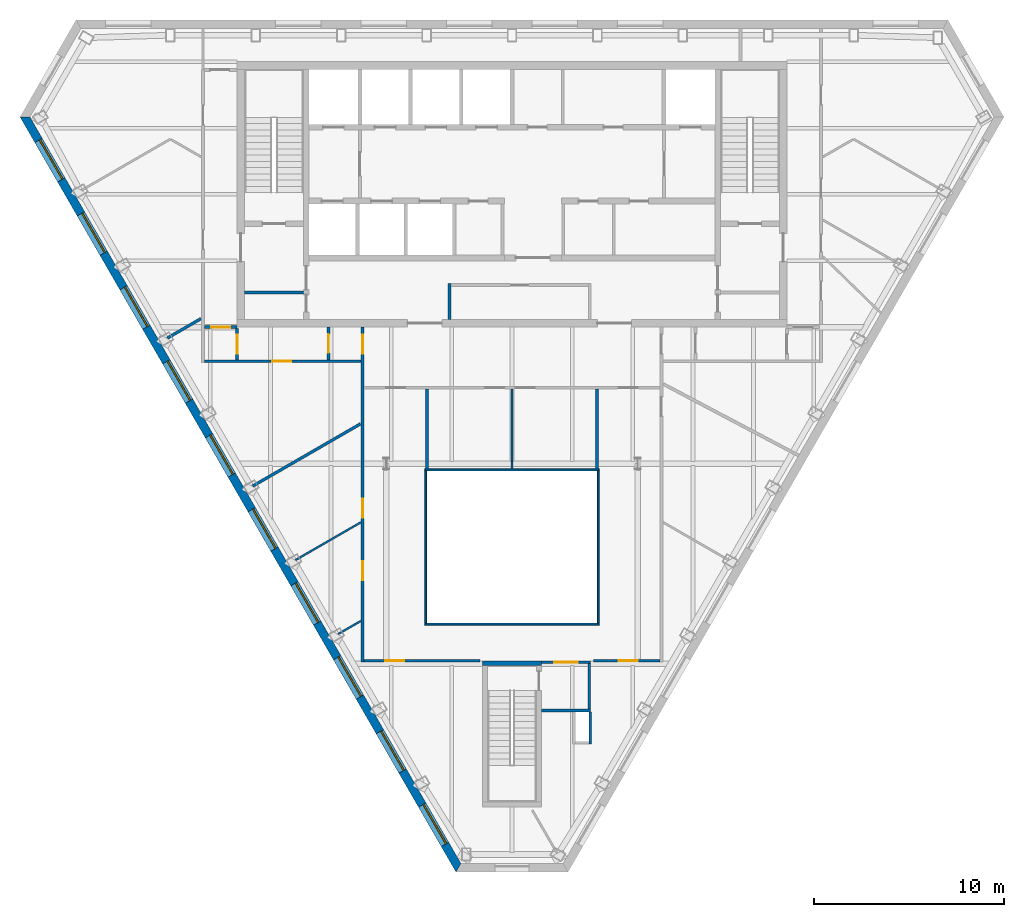
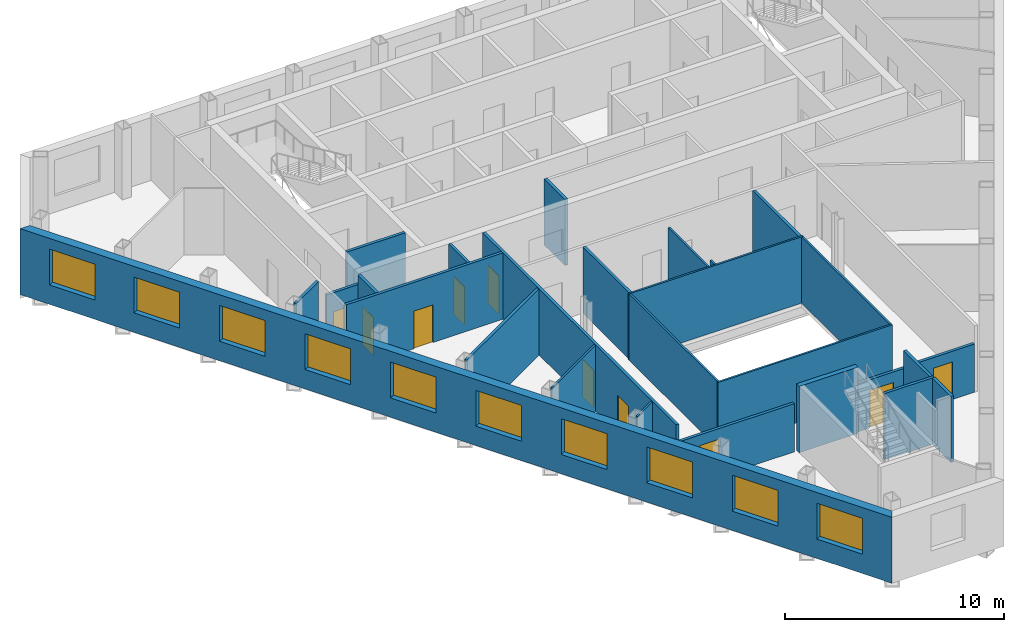
# One storey, part 4 of 10: 27 walls, 10 doors, 10 windows, 20 openings.
"""IFC4 building model written with IfcOpenShell, lengths in metres."""

from ifc_helpers import new_model, si_unit, direction, frame, frame_2d, origin, place, context, subcontext, project, spatial, polyline, rectangle, outline, extrude, material, layer, layer_set, type_object, element, fill, save


model = new_model("IFC4")

# Units and contexts
model_context = context("Model", 3, precision=1e-05, world=origin(), true_north=direction((0.0, 1.0)))
body_context = subcontext(model_context, "Body", "Model", "MODEL_VIEW")
ifc_project = project(units=[si_unit("LENGTHUNIT", "METRE"), si_unit("AREAUNIT", "SQUARE_METRE"), si_unit("VOLUMEUNIT", "CUBIC_METRE"), si_unit("PLANEANGLEUNIT", "RADIAN"), si_unit("MASSUNIT", "GRAM", prefix="KILO")], contexts=[model_context])

# Site, building, storey
site_placement = place(None, origin())
site = spatial("IfcSite", under=ifc_project, at=site_placement, CompositionType="ELEMENT")
building_placement = place(site_placement, origin())
building = spatial("IfcBuilding", under=site, at=building_placement, Name="Njiva Tower", CompositionType="ELEMENT")
storey_placement = place(building_placement, frame((0.0, 0.0, 257.1)))
storey = spatial("IfcBuildingStorey", under=building, at=storey_placement, Name="L58", CompositionType="ELEMENT", Elevation=257.1)

# Walls
ifc_material_1 = material(Name="Blockwork", Category="masonry")
ifc_layer_1 = layer(ifc_material_1, 0.15)
ifc_layer_set_1 = layer_set([ifc_layer_1], Name="Blockwork")
wall_type_1 = type_object("IfcWallType", Name="WT1 Compartment partition 150", PredefinedType="PARTITIONING", material=ifc_layer_set_1)
wall_1_placement = place(storey_placement, frame((-14.1, 5.825, 0.0), z_axis=(0.0, 0.0, 1.0), x_axis=(1.0, 0.0, 0.0)))
element("IfcWall", 1, at=wall_1_placement, inside=storey, type_object=wall_type_1, Name="Room wall A", PredefinedType="PARTITIONING", context=body_context, shape_type="SweptSolid", body=[
    extrude(rectangle(XDim=3.1, YDim=0.15, at=frame_2d((1.55, 0.0))), origin(), (0.0, 0.0, 1.0), 3.7),
])
wall_2_placement = place(storey_placement, frame((-3.3, 4.4, 0.0), z_axis=(0.0, 0.0, 1.0), x_axis=(0.0, 1.0, 0.0)))
element("IfcWall", 2, at=wall_2_placement, inside=storey, type_object=wall_type_1, Name="Concierge office wall west", PredefinedType="PARTITIONING", context=body_context, shape_type="SweptSolid", body=[
    extrude(rectangle(XDim=1.895, YDim=0.15, at=frame_2d((0.9475, 0.0))), origin(), (0.0, 0.0, 1.0), 3.7),
])
ifc_material_2 = material(Name="Gypsum board on steel studs", Category="gypsum")
ifc_layer_2 = layer(ifc_material_2, 0.1)
ifc_layer_set_2 = layer_set([ifc_layer_2], Name="Gypsum board on steel studs")
wall_type_2 = type_object("IfcWallType", Name="WT20 Gypsum partition 100", PredefinedType="PARTITIONING", material=ifc_layer_set_2)
wall_3_placement = place(storey_placement, frame((-11.42, -8.285, 0.0), z_axis=(0.0, 0.0, 1.0), x_axis=(0.866143665252, 0.499795109164, 0.0)))
element("IfcWall", 3, at=wall_3_placement, inside=storey, type_object=wall_type_2, Name="Partition S19-P011", PredefinedType="PARTITIONING", context=body_context, shape_type="SweptSolid", body=[
    extrude(rectangle(XDim=3.9716, YDim=0.1, at=frame_2d((1.9858, 0.0))), origin(), (0.0, 0.0, 1.0), 3.7),
])
wall_4_placement = place(storey_placement, frame((-9.167, -12.188, 0.0), z_axis=(0.0, 0.0, 1.0), x_axis=(0.866124840845, 0.499827730395, 0.0)))
element("IfcWall", 4, at=wall_4_placement, inside=storey, type_object=wall_type_2, Name="Partition S19-P013", PredefinedType="PARTITIONING", context=body_context, shape_type="SweptSolid", body=[
    extrude(rectangle(XDim=1.3705, YDim=0.1, at=frame_2d((0.6852, 0.0))), origin(), (0.0, 0.0, 1.0), 3.7),
])
wall_5_placement = place(storey_placement, frame((-0.001, 0.725, 0.0), z_axis=(0.0, 0.0, 1.0), x_axis=(0.000235294111, -0.999999972318, 0.0)))
element("IfcWall", 5, at=wall_5_placement, inside=storey, type_object=wall_type_2, Name="Partition S19-P018", PredefinedType="PARTITIONING", context=body_context, shape_type="SweptSolid", body=[
    extrude(rectangle(XDim=3.825, YDim=0.1, at=frame_2d((1.9125, 0.0))), origin(), (0.0, 0.0, 1.0), 3.2),
])
wall_6_placement = place(storey_placement, frame((-0.0001, -3.1, 0.0), z_axis=(0.0, 0.0, 1.0), x_axis=(0.000263157886, -0.999999965374, 0.0)))
element("IfcWall", 6, at=wall_6_placement, inside=storey, type_object=wall_type_2, Name="Partition S19-P018A", PredefinedType="PARTITIONING", context=body_context, shape_type="SweptSolid", body=[
    extrude(rectangle(XDim=0.38, YDim=0.1, at=frame_2d((0.19, 0.0))), origin(), (0.0, 0.0, 1.0), 3.7),
])
ifc_layer_3 = layer(ifc_material_2, 0.15)
ifc_layer_set_3 = layer_set([ifc_layer_3], Name="Gypsum board on steel studs")
wall_type_3 = type_object("IfcWallType", Name="WT21 Compartment wall 150", PredefinedType="PARTITIONING", material=ifc_layer_set_3)
wall_7_placement = place(storey_placement, frame((-18.18, 3.423, 0.0), z_axis=(0.0, 0.0, 1.0), x_axis=(0.865850922242, 0.500302089196, 0.0)))
element("IfcWall", 7, at=wall_7_placement, inside=storey, type_object=wall_type_3, Name="Partition S19-P002", PredefinedType="PARTITIONING", context=body_context, shape_type="SweptSolid", body=[
    extrude(rectangle(XDim=2.0408, YDim=0.15, at=frame_2d((1.0204, 0.0))), origin(), (0.0, 0.0, 1.0), 3.7),
])

# Wall, opening, door
wall_8_placement = place(storey_placement, frame((-16.225, 2.2, 0.0), z_axis=(0.0, 0.0, 1.0), x_axis=(1.0, 0.0, 0.0)))
wall_8 = element("IfcWall", 8, at=wall_8_placement, inside=storey, type_object=wall_type_3, Name="Partition S19-P006", PredefinedType="PARTITIONING", context=body_context, shape_type="SweptSolid", body=[
    extrude(rectangle(XDim=8.27, YDim=0.15, at=frame_2d((4.135, 0.0))), origin(), (0.0, 0.0, 1.0), 3.7),
])
opening_1_placement = place(wall_8_placement, frame((3.584, 0.0, 0.0)))
opening_1 = element("IfcOpeningElement", 9, at=opening_1_placement, cuts=wall_8, Name="Opening S19-D003", PredefinedType="OPENING", context=body_context, shape_type="SweptSolid", body=[
    extrude(rectangle(XDim=1.0, YDim=2.1, at=frame_2d((0.5, 1.05))), frame((0.0, 0.085, 0.0), z_axis=(0.0, -1.0, 0.0), x_axis=(1.0, 0.0, 0.0)), (0.0, 0.0, 1.0), 0.17),
])
ifc_material_3 = material(Name="Steel fire door set", Category="steel")
door_type_1 = type_object("IfcDoorType", Name="D37 Fire door 1000x2100", OperationType="SINGLE_SWING_LEFT", PredefinedType="DOOR", material=ifc_material_3)
door_1_placement = place(opening_1_placement, origin())
door_1 = element("IfcDoor", 10, at=door_1_placement, inside=storey, type_object=door_type_1, Name="Door S19-D003", OperationType="SINGLE_SWING_LEFT", OverallHeight=2.1, OverallWidth=1.0, PredefinedType="DOOR", context=body_context, shape_type="SweptSolid", body=[
    extrude(rectangle(XDim=1.0, YDim=2.1, at=frame_2d((0.5, 1.05))), frame((0.0, 0.025, 0.0), z_axis=(0.0, -1.0, 0.0), x_axis=(1.0, 0.0, 0.0)), (0.0, 0.0, 1.0), 0.05),
])
fill(opening_1, door_1)

wall_9_placement = place(storey_placement, frame((-16.225, 4.0, 0.0), z_axis=(0.0, 0.0, 1.0), x_axis=(1.0, 0.0, 0.0)))
wall_9 = element("IfcWall", 11, at=wall_9_placement, inside=storey, type_object=wall_type_3, Name="Partition S19-P007", PredefinedType="PARTITIONING", context=body_context, shape_type="SweptSolid", body=[
    extrude(rectangle(XDim=1.725, YDim=0.15, at=frame_2d((0.8625, 0.0))), origin(), (0.0, 0.0, 1.0), 3.16),
])
opening_2_placement = place(wall_9_placement, frame((0.363, 0.0, 0.0)))
opening_2 = element("IfcOpeningElement", 12, at=opening_2_placement, cuts=wall_9, Name="Opening S19-D004", PredefinedType="OPENING", context=body_context, shape_type="SweptSolid", body=[
    extrude(rectangle(XDim=1.0, YDim=2.1, at=frame_2d((0.5, 1.05))), frame((0.0, 0.085, 0.0), z_axis=(0.0, -1.0, 0.0), x_axis=(1.0, 0.0, 0.0)), (0.0, 0.0, 1.0), 0.17),
])
door_2_placement = place(opening_2_placement, origin())
door_2 = element("IfcDoor", 13, at=door_2_placement, inside=storey, type_object=door_type_1, Name="Door S19-D004", OperationType="SINGLE_SWING_LEFT", OverallHeight=2.1, OverallWidth=1.0, PredefinedType="DOOR", context=body_context, shape_type="SweptSolid", body=[
    extrude(rectangle(XDim=1.0, YDim=2.1, at=frame_2d((0.5, 1.05))), frame((0.0, 0.025, 0.0), z_axis=(0.0, -1.0, 0.0), x_axis=(1.0, 0.0, 0.0)), (0.0, 0.0, 1.0), 0.05),
])
fill(opening_2, door_2)

wall_10_placement = place(storey_placement, frame((-14.5, 2.275, 0.0), z_axis=(0.0, 0.0, 1.0), x_axis=(0.0, 1.0, 0.0)))
wall_10 = element("IfcWall", 14, at=wall_10_placement, inside=storey, type_object=wall_type_3, Name="Partition S19-P009", PredefinedType="PARTITIONING", context=body_context, shape_type="SweptSolid", body=[
    extrude(rectangle(XDim=1.65, YDim=0.15, at=frame_2d((0.825, 0.0))), origin(), (0.0, 0.0, 1.0), 3.7),
])
opening_3_placement = place(wall_10_placement, frame((0.325, 0.0, 0.0)))
opening_3 = element("IfcOpeningElement", 15, at=opening_3_placement, cuts=wall_10, Name="Opening S19-D006", PredefinedType="OPENING", context=body_context, shape_type="SweptSolid", body=[
    extrude(rectangle(XDim=1.0, YDim=2.1, at=frame_2d((0.5, 1.05))), frame((0.0, 0.085, 0.0), z_axis=(0.0, -1.0, 0.0), x_axis=(1.0, 0.0, 0.0)), (0.0, 0.0, 1.0), 0.17),
])
door_3_placement = place(opening_3_placement, origin())
door_3 = element("IfcDoor", 16, at=door_3_placement, inside=storey, type_object=door_type_1, Name="Door S19-D006", OperationType="SINGLE_SWING_RIGHT", OverallHeight=2.1, OverallWidth=1.0, PredefinedType="DOOR", context=body_context, shape_type="SweptSolid", body=[
    extrude(rectangle(XDim=1.0, YDim=2.1, at=frame_2d((0.5, 1.05))), frame((0.0, 0.025, 0.0), z_axis=(0.0, -1.0, 0.0), x_axis=(1.0, 0.0, 0.0)), (0.0, 0.0, 1.0), 0.05),
])
fill(opening_3, door_3)

# Wall
wall_11_placement = place(storey_placement, frame((-13.673, -4.382, 0.0), z_axis=(0.0, 0.0, 1.0), x_axis=(0.866086584464, 0.499894016979, 0.0)))
element("IfcWall", 17, at=wall_11_placement, inside=storey, type_object=wall_type_3, Name="Partition S19-P010", PredefinedType="PARTITIONING", context=body_context, shape_type="SweptSolid", body=[
    extrude(rectangle(XDim=6.5594, YDim=0.15, at=frame_2d((3.2797, 0.0))), origin(), (0.0, 0.0, 1.0), 3.7),
])

# Wall, opening, door
wall_12_placement = place(storey_placement, frame((-9.68, 2.275, 0.0), z_axis=(0.0, 0.0, 1.0), x_axis=(0.0, 1.0, 0.0)))
wall_12 = element("IfcWall", 18, at=wall_12_placement, inside=storey, type_object=wall_type_3, Name="Partition S19-P012", PredefinedType="PARTITIONING", context=body_context, shape_type="SweptSolid", body=[
    extrude(rectangle(XDim=1.725, YDim=0.15, at=frame_2d((0.8625, 0.0))), origin(), (0.0, 0.0, 1.0), 3.7),
])
opening_4_placement = place(wall_12_placement, frame((0.362, 0.0, 0.0)))
opening_4 = element("IfcOpeningElement", 19, at=opening_4_placement, cuts=wall_12, Name="Opening S19-D007", PredefinedType="OPENING", context=body_context, shape_type="SweptSolid", body=[
    extrude(rectangle(XDim=1.0, YDim=2.1, at=frame_2d((0.5, 1.05))), frame((0.0, 0.085, 0.0), z_axis=(0.0, -1.0, 0.0), x_axis=(1.0, 0.0, 0.0)), (0.0, 0.0, 1.0), 0.17),
])
door_4_placement = place(opening_4_placement, origin())
door_4 = element("IfcDoor", 20, at=door_4_placement, inside=storey, type_object=door_type_1, Name="Door S19-D007", OperationType="SINGLE_SWING_RIGHT", OverallHeight=2.1, OverallWidth=1.0, PredefinedType="DOOR", context=body_context, shape_type="SweptSolid", body=[
    extrude(rectangle(XDim=1.0, YDim=2.1, at=frame_2d((0.5, 1.05))), frame((0.0, 0.025, 0.0), z_axis=(0.0, -1.0, 0.0), x_axis=(1.0, 0.0, 0.0)), (0.0, 0.0, 1.0), 0.05),
])
fill(opening_4, door_4)

# Wall, openings, doors
wall_13_placement = place(storey_placement, frame((-7.88, -13.675, 0.0), z_axis=(0.0, 0.0, 1.0), x_axis=(0.0, 1.0, 0.0)))
wall_13 = element("IfcWall", 21, at=wall_13_placement, inside=storey, type_object=wall_type_3, Name="Partition S19-P014", PredefinedType="PARTITIONING", context=body_context, shape_type="SweptSolid", body=[
    extrude(rectangle(XDim=17.675, YDim=0.15, at=frame_2d((8.8375, 0.0))), origin(), (0.0, 0.0, 1.0), 3.7),
])
opening_5_placement = place(wall_13_placement, frame((4.331, 0.0, 0.0)))
opening_5 = element("IfcOpeningElement", 22, at=opening_5_placement, cuts=wall_13, Name="Opening S19-D008", PredefinedType="OPENING", context=body_context, shape_type="SweptSolid", body=[
    extrude(rectangle(XDim=1.0, YDim=2.1, at=frame_2d((0.5, 1.05))), frame((0.0, 0.085, 0.0), z_axis=(0.0, -1.0, 0.0), x_axis=(1.0, 0.0, 0.0)), (0.0, 0.0, 1.0), 0.17),
])
opening_6_placement = place(wall_13_placement, frame((7.633, 0.0, 0.0)))
opening_6 = element("IfcOpeningElement", 23, at=opening_6_placement, cuts=wall_13, Name="Opening S19-D009", PredefinedType="OPENING", context=body_context, shape_type="SweptSolid", body=[
    extrude(rectangle(XDim=1.0, YDim=2.1, at=frame_2d((0.5, 1.05))), frame((0.0, 0.085, 0.0), z_axis=(0.0, -1.0, 0.0), x_axis=(1.0, 0.0, 0.0)), (0.0, 0.0, 1.0), 0.17),
])
opening_7_placement = place(wall_13_placement, frame((16.275, 0.0, 0.0)))
opening_7 = element("IfcOpeningElement", 24, at=opening_7_placement, cuts=wall_13, Name="Opening S19-D010", PredefinedType="OPENING", context=body_context, shape_type="SweptSolid", body=[
    extrude(rectangle(XDim=1.0, YDim=2.1, at=frame_2d((0.5, 1.05))), frame((0.0, 0.085, 0.0), z_axis=(0.0, -1.0, 0.0), x_axis=(1.0, 0.0, 0.0)), (0.0, 0.0, 1.0), 0.17),
])
door_5_placement = place(opening_5_placement, origin())
door_5 = element("IfcDoor", 25, at=door_5_placement, inside=storey, type_object=door_type_1, Name="Door S19-D008", OperationType="SINGLE_SWING_RIGHT", OverallHeight=2.1, OverallWidth=1.0, PredefinedType="DOOR", context=body_context, shape_type="SweptSolid", body=[
    extrude(rectangle(XDim=1.0, YDim=2.1, at=frame_2d((0.5, 1.05))), frame((0.0, 0.025, 0.0), z_axis=(0.0, -1.0, 0.0), x_axis=(1.0, 0.0, 0.0)), (0.0, 0.0, 1.0), 0.05),
])
fill(opening_5, door_5)
door_6_placement = place(opening_6_placement, origin())
door_6 = element("IfcDoor", 26, at=door_6_placement, inside=storey, type_object=door_type_1, Name="Door S19-D009", OperationType="SINGLE_SWING_RIGHT", OverallHeight=2.1, OverallWidth=1.0, PredefinedType="DOOR", context=body_context, shape_type="SweptSolid", body=[
    extrude(rectangle(XDim=1.0, YDim=2.1, at=frame_2d((0.5, 1.05))), frame((0.0, 0.025, 0.0), z_axis=(0.0, -1.0, 0.0), x_axis=(1.0, 0.0, 0.0)), (0.0, 0.0, 1.0), 0.05),
])
fill(opening_6, door_6)
door_7_placement = place(opening_7_placement, origin())
door_7 = element("IfcDoor", 27, at=door_7_placement, inside=storey, type_object=door_type_1, Name="Door S19-D010", OperationType="SINGLE_SWING_LEFT", OverallHeight=2.1, OverallWidth=1.0, PredefinedType="DOOR", context=body_context, shape_type="SweptSolid", body=[
    extrude(rectangle(XDim=1.0, YDim=2.1, at=frame_2d((0.5, 1.05))), frame((0.0, 0.025, 0.0), z_axis=(0.0, -1.0, 0.0), x_axis=(1.0, 0.0, 0.0)), (0.0, 0.0, 1.0), 0.05),
])
fill(opening_7, door_7)

# Wall, opening, door
wall_14_placement = place(storey_placement, frame((-7.805, -13.6, 0.0), z_axis=(0.0, 0.0, 1.0), x_axis=(1.0, 0.0, 0.0)))
wall_14 = element("IfcWall", 28, at=wall_14_placement, inside=storey, type_object=wall_type_3, Name="Partition S19-P015", PredefinedType="PARTITIONING", context=body_context, shape_type="SweptSolid", body=[
    extrude(rectangle(XDim=6.105, YDim=0.15, at=frame_2d((3.0525, 0.0))), origin(), (0.0, 0.0, 1.0), 2.692),
])
opening_8_placement = place(wall_14_placement, frame((1.118, 0.0, 0.0)))
opening_8 = element("IfcOpeningElement", 29, at=opening_8_placement, cuts=wall_14, Name="Opening S19-D011", PredefinedType="OPENING", context=body_context, shape_type="SweptSolid", body=[
    extrude(rectangle(XDim=1.0, YDim=2.1, at=frame_2d((0.5, 1.05))), frame((0.0, 0.085, 0.0), z_axis=(0.0, -1.0, 0.0), x_axis=(1.0, 0.0, 0.0)), (0.0, 0.0, 1.0), 0.17),
])
door_8_placement = place(opening_8_placement, origin())
door_8 = element("IfcDoor", 30, at=door_8_placement, inside=storey, type_object=door_type_1, Name="Door S19-D011", OperationType="SINGLE_SWING_LEFT", OverallHeight=2.1, OverallWidth=1.0, PredefinedType="DOOR", context=body_context, shape_type="SweptSolid", body=[
    extrude(rectangle(XDim=1.0, YDim=2.1, at=frame_2d((0.5, 1.05))), frame((0.0, 0.025, 0.0), z_axis=(0.0, -1.0, 0.0), x_axis=(1.0, 0.0, 0.0)), (0.0, 0.0, 1.0), 0.05),
])
fill(opening_8, door_8)

# Wall
wall_15_placement = place(storey_placement, frame((-4.48, -3.48, 0.0), z_axis=(0.0, 0.0, 1.0), x_axis=(0.0, 1.0, 0.0)))
element("IfcWall", 31, at=wall_15_placement, inside=storey, type_object=wall_type_3, Name="Partition S19-P017", PredefinedType="PARTITIONING", context=body_context, shape_type="SweptSolid", body=[
    extrude(rectangle(XDim=4.205, YDim=0.15, at=frame_2d((2.1025, 0.0))), origin(), (0.0, 0.0, 1.0), 3.7),
])

# Wall, opening, door
wall_16_placement = place(storey_placement, frame((4.3, -13.6, 0.0), z_axis=(0.0, 0.0, 1.0), x_axis=(1.0, 0.0, 0.0)))
wall_16 = element("IfcWall", 32, at=wall_16_placement, inside=storey, type_object=wall_type_3, Name="Partition S19-P020", PredefinedType="PARTITIONING", context=body_context, shape_type="SweptSolid", body=[
    extrude(rectangle(XDim=3.505, YDim=0.15, at=frame_2d((1.7525, 0.0))), origin(), (0.0, 0.0, 1.0), 2.692),
])
opening_9_placement = place(wall_16_placement, frame((1.336, 0.0, 0.0)))
opening_9 = element("IfcOpeningElement", 33, at=opening_9_placement, cuts=wall_16, Name="Opening S19-D016", PredefinedType="OPENING", context=body_context, shape_type="SweptSolid", body=[
    extrude(rectangle(XDim=1.0, YDim=2.1, at=frame_2d((0.5, 1.05))), frame((0.0, 0.085, 0.0), z_axis=(0.0, -1.0, 0.0), x_axis=(1.0, 0.0, 0.0)), (0.0, 0.0, 1.0), 0.17),
])
door_9_placement = place(opening_9_placement, origin())
door_9 = element("IfcDoor", 34, at=door_9_placement, inside=storey, type_object=door_type_1, Name="Door S19-D016", OperationType="SINGLE_SWING_RIGHT", OverallHeight=2.1, OverallWidth=1.0, PredefinedType="DOOR", context=body_context, shape_type="SweptSolid", body=[
    extrude(rectangle(XDim=1.0, YDim=2.1, at=frame_2d((0.5, 1.05))), frame((0.0, 0.025, 0.0), z_axis=(0.0, -1.0, 0.0), x_axis=(1.0, 0.0, 0.0)), (0.0, 0.0, 1.0), 0.05),
])
fill(opening_9, door_9)

# Walls
wall_17_placement = place(storey_placement, frame((4.479, -3.48, 0.0), z_axis=(0.0, 0.0, 1.0), x_axis=(0.000237812122, 0.999999971723, 0.0)))
element("IfcWall", 35, at=wall_17_placement, inside=storey, type_object=wall_type_3, Name="Partition S19-P021", PredefinedType="PARTITIONING", context=body_context, shape_type="SweptSolid", body=[
    extrude(rectangle(XDim=4.205, YDim=0.15, at=frame_2d((2.1025, 0.0))), origin(), (0.0, 0.0, 1.0), 3.7),
])
ifc_layer_4 = layer(ifc_material_1, 0.15)
ifc_layer_set_4 = layer_set([ifc_layer_4], Name="Blockwork")
wall_type_4 = type_object("IfcWallType", Name="WT4 Stair partition 150", PredefinedType="PARTITIONING", material=ifc_layer_set_4)
wall_18_placement = place(storey_placement, frame((1.55, -16.225, 0.0), z_axis=(0.0, 0.0, 1.0), x_axis=(1.0, 0.0, 0.0)))
element("IfcWall", 36, at=wall_18_placement, inside=storey, type_object=wall_type_4, Name="Stair C vestibule wall south", PredefinedType="PARTITIONING", context=body_context, shape_type="SweptSolid", body=[
    extrude(rectangle(XDim=2.6, YDim=0.15, at=frame_2d((1.3, 0.0))), origin(), (0.0, 0.0, 1.0), 3.7),
])
wall_19_placement = place(storey_placement, frame((4.075, -16.15, 0.0), z_axis=(0.0, 0.0, 1.0), x_axis=(0.0, 1.0, 0.0)))
element("IfcWall", 37, at=wall_19_placement, inside=storey, type_object=wall_type_4, Name="Stair C vestibule wall east", PredefinedType="PARTITIONING", context=body_context, shape_type="SweptSolid", body=[
    extrude(rectangle(XDim=2.4, YDim=0.15, at=frame_2d((1.2, 0.0))), origin(), (0.0, 0.0, 1.0), 3.7),
])

# Wall, opening, door
wall_20_placement = place(storey_placement, frame((1.55, -13.675, 0.0), z_axis=(0.0, 0.0, 1.0), x_axis=(1.0, 0.0, 0.0)))
wall_20 = element("IfcWall", 38, at=wall_20_placement, inside=storey, type_object=wall_type_4, Name="Stair C vestibule wall north", PredefinedType="PARTITIONING", context=body_context, shape_type="SweptSolid", body=[
    extrude(rectangle(XDim=2.6, YDim=0.15, at=frame_2d((1.3, 0.0))), origin(), (0.0, 0.0, 1.0), 2.692),
])
opening_10_placement = place(wall_20_placement, frame((0.675, 0.0, 0.0)))
opening_10 = element("IfcOpeningElement", 39, at=opening_10_placement, cuts=wall_20, Name="Opening S19-D929", PredefinedType="OPENING", context=body_context, shape_type="SweptSolid", body=[
    extrude(rectangle(XDim=1.25, YDim=2.1, at=frame_2d((0.625, 1.05))), frame((0.0, 0.085, 0.0), z_axis=(0.0, -1.0, 0.0), x_axis=(1.0, 0.0, 0.0)), (0.0, 0.0, 1.0), 0.17),
])
ifc_material_4 = material(Name="Glazed steel fire door", Category="steel")
door_type_2 = type_object("IfcDoorType", Name="D8 Vestibule corridor door 1250x2100 glazed", OperationType="SINGLE_SWING_LEFT", PredefinedType="DOOR", material=ifc_material_4)
door_10_placement = place(opening_10_placement, origin())
door_10 = element("IfcDoor", 40, at=door_10_placement, inside=storey, type_object=door_type_2, Name="Stair vestibule corridor door", OperationType="SINGLE_SWING_RIGHT", OverallHeight=2.1, OverallWidth=1.25, PredefinedType="DOOR", context=body_context, shape_type="SweptSolid", body=[
    extrude(rectangle(XDim=1.25, YDim=2.1, at=frame_2d((0.625, 1.05))), frame((0.0, 0.025, 0.0), z_axis=(0.0, -1.0, 0.0), x_axis=(1.0, 0.0, 0.0)), (0.0, 0.0, 1.0), 0.05),
])
fill(opening_10, door_10)

# Walls
wall_21_placement = place(storey_placement, frame((4.125, -18.0, 0.0), z_axis=(0.0, 0.0, 1.0), x_axis=(0.0, 1.0, 0.0)))
element("IfcWall", 41, at=wall_21_placement, inside=storey, type_object=wall_type_4, Name="Stair C pressurisation shaft wall", PredefinedType="PARTITIONING", context=body_context, shape_type="SweptSolid", body=[
    extrude(rectangle(XDim=1.7, YDim=0.15, at=frame_2d((0.85, 0.0))), origin(), (0.0, 0.0, 1.0), 3.7),
])
ifc_material_5 = material(Name="Concrete C40/50", Category="concrete")
ifc_layer_5 = layer(ifc_material_5, 0.25)
ifc_layer_set_5 = layer_set([ifc_layer_5], Name="Concrete C40/50")
wall_type_5 = type_object("IfcWallType", Name="WT9 Stair enclosure wall 250", PredefinedType="SHEAR", material=ifc_layer_set_5)
wall_22_placement = place(storey_placement, frame((-1.55, -13.725, 0.0), z_axis=(0.0, 0.0, 1.0), x_axis=(1.0, 0.0, 0.0)))
element("IfcWall", 42, at=wall_22_placement, inside=storey, type_object=wall_type_5, Name="Stair C wall north", PredefinedType="SHEAR", context=body_context, shape_type="SweptSolid", body=[
    extrude(rectangle(XDim=3.1, YDim=0.25, at=frame_2d((1.55, 0.0))), origin(), (0.0, 0.0, 1.0), 3.7),
])

# Wall, openings, windows
ifc_material_6 = material(Name="Brick masonry", Category="masonry")
ifc_layer_6 = layer(ifc_material_6, 0.45)
ifc_layer_set_6 = layer_set([ifc_layer_6], Name="Brick masonry")
wall_type_6 = type_object("IfcWallType", Name="WT90 Brick pier and spandrel wall 450", PredefinedType="SOLIDWALL", material=ifc_layer_set_6)
wall_23_placement = place(storey_placement, frame((-25.6902, 15.0818, -0.18), z_axis=(0.0, 0.0, 1.0), x_axis=(0.500000141277, -0.866025322218, 0.0)))
wall_23 = element("IfcWall", 43, at=wall_23_placement, inside=storey, type_object=wall_type_6, Name="Facade wall SW", PredefinedType="SOLIDWALL", context=body_context, shape_type="SweptSolid", body=[
    extrude(outline(polyline([(-0.1299, -0.225), (45.8601, -0.225), (45.6003, 0.225), (0.1299, 0.225), (-0.1299, -0.225)])), origin(), (0.0, 0.0, 1.0), 3.68),
])
opening_11_placement = place(wall_23_placement, frame((1.4237, 0.0, 1.08)))
opening_11 = element("IfcOpeningElement", 44, at=opening_11_placement, cuts=wall_23, Name="Opening S19-W09", PredefinedType="OPENING", context=body_context, shape_type="SweptSolid", body=[
    extrude(rectangle(XDim=2.4, YDim=2.0, at=frame_2d((1.2, 1.0))), frame((0.0, 0.235, 0.0), z_axis=(0.0, -1.0, 0.0), x_axis=(1.0, 0.0, 0.0)), (0.0, 0.0, 1.0), 0.47),
])
opening_12_placement = place(wall_23_placement, frame((5.8919, 0.0, 1.08)))
opening_12 = element("IfcOpeningElement", 45, at=opening_12_placement, cuts=wall_23, Name="Opening S19-W10", PredefinedType="OPENING", context=body_context, shape_type="SweptSolid", body=[
    extrude(rectangle(XDim=2.4, YDim=2.0, at=frame_2d((1.2, 1.0))), frame((0.0, 0.235, 0.0), z_axis=(0.0, -1.0, 0.0), x_axis=(1.0, 0.0, 0.0)), (0.0, 0.0, 1.0), 0.47),
])
opening_13_placement = place(wall_23_placement, frame((10.3985, 0.0, 1.08)))
opening_13 = element("IfcOpeningElement", 46, at=opening_13_placement, cuts=wall_23, Name="Opening S19-W11", PredefinedType="OPENING", context=body_context, shape_type="SweptSolid", body=[
    extrude(rectangle(XDim=2.4, YDim=2.0, at=frame_2d((1.2, 1.0))), frame((0.0, 0.235, 0.0), z_axis=(0.0, -1.0, 0.0), x_axis=(1.0, 0.0, 0.0)), (0.0, 0.0, 1.0), 0.47),
])
opening_14_placement = place(wall_23_placement, frame((14.9052, 0.0, 1.08)))
opening_14 = element("IfcOpeningElement", 47, at=opening_14_placement, cuts=wall_23, Name="Opening S19-W12", PredefinedType="OPENING", context=body_context, shape_type="SweptSolid", body=[
    extrude(rectangle(XDim=2.4, YDim=2.0, at=frame_2d((1.2, 1.0))), frame((0.0, 0.235, 0.0), z_axis=(0.0, -1.0, 0.0), x_axis=(1.0, 0.0, 0.0)), (0.0, 0.0, 1.0), 0.47),
])
opening_15_placement = place(wall_23_placement, frame((19.4118, 0.0, 1.08)))
opening_15 = element("IfcOpeningElement", 48, at=opening_15_placement, cuts=wall_23, Name="Opening S19-W13", PredefinedType="OPENING", context=body_context, shape_type="SweptSolid", body=[
    extrude(rectangle(XDim=2.4, YDim=2.0, at=frame_2d((1.2, 1.0))), frame((0.0, 0.235, 0.0), z_axis=(0.0, -1.0, 0.0), x_axis=(1.0, 0.0, 0.0)), (0.0, 0.0, 1.0), 0.47),
])
opening_16_placement = place(wall_23_placement, frame((23.9184, 0.0, 1.08)))
opening_16 = element("IfcOpeningElement", 49, at=opening_16_placement, cuts=wall_23, Name="Opening S19-W14", PredefinedType="OPENING", context=body_context, shape_type="SweptSolid", body=[
    extrude(rectangle(XDim=2.4, YDim=2.0, at=frame_2d((1.2, 1.0))), frame((0.0, 0.235, 0.0), z_axis=(0.0, -1.0, 0.0), x_axis=(1.0, 0.0, 0.0)), (0.0, 0.0, 1.0), 0.47),
])
opening_17_placement = place(wall_23_placement, frame((28.425, 0.0, 1.08)))
opening_17 = element("IfcOpeningElement", 50, at=opening_17_placement, cuts=wall_23, Name="Opening S19-W15", PredefinedType="OPENING", context=body_context, shape_type="SweptSolid", body=[
    extrude(rectangle(XDim=2.4, YDim=2.0, at=frame_2d((1.2, 1.0))), frame((0.0, 0.235, 0.0), z_axis=(0.0, -1.0, 0.0), x_axis=(1.0, 0.0, 0.0)), (0.0, 0.0, 1.0), 0.47),
])
opening_18_placement = place(wall_23_placement, frame((32.9316, 0.0, 1.08)))
opening_18 = element("IfcOpeningElement", 51, at=opening_18_placement, cuts=wall_23, Name="Opening S19-W16", PredefinedType="OPENING", context=body_context, shape_type="SweptSolid", body=[
    extrude(rectangle(XDim=2.4, YDim=2.0, at=frame_2d((1.2, 1.0))), frame((0.0, 0.235, 0.0), z_axis=(0.0, -1.0, 0.0), x_axis=(1.0, 0.0, 0.0)), (0.0, 0.0, 1.0), 0.47),
])
opening_19_placement = place(wall_23_placement, frame((37.4383, 0.0, 1.08)))
opening_19 = element("IfcOpeningElement", 52, at=opening_19_placement, cuts=wall_23, Name="Opening S19-W17", PredefinedType="OPENING", context=body_context, shape_type="SweptSolid", body=[
    extrude(rectangle(XDim=2.4, YDim=2.0, at=frame_2d((1.2, 1.0))), frame((0.0, 0.235, 0.0), z_axis=(0.0, -1.0, 0.0), x_axis=(1.0, 0.0, 0.0)), (0.0, 0.0, 1.0), 0.47),
])
opening_20_placement = place(wall_23_placement, frame((41.9065, 0.0, 1.08)))
opening_20 = element("IfcOpeningElement", 53, at=opening_20_placement, cuts=wall_23, Name="Opening S19-W18", PredefinedType="OPENING", context=body_context, shape_type="SweptSolid", body=[
    extrude(rectangle(XDim=2.4, YDim=2.0, at=frame_2d((1.2, 1.0))), frame((0.0, 0.235, 0.0), z_axis=(0.0, -1.0, 0.0), x_axis=(1.0, 0.0, 0.0)), (0.0, 0.0, 1.0), 0.47),
])
ifc_material_7 = material(Name="Clear glazing in aluminium frame", Category="aluminium")
window_type = type_object("IfcWindowType", Name="W90 Deep-set window 2400x2000", PartitioningType="SINGLE_PANEL", PredefinedType="WINDOW", material=ifc_material_7)
window_1_placement = place(opening_11_placement, origin())
window_1 = element("IfcWindow", 54, at=window_1_placement, inside=storey, type_object=window_type, Name="Window", OverallHeight=2.0, OverallWidth=2.4, PartitioningType="SINGLE_PANEL", PredefinedType="WINDOW", context=body_context, shape_type="SweptSolid", body=[
    extrude(rectangle(XDim=2.4, YDim=2.0, at=frame_2d((1.2, 1.0))), frame((0.0, 0.105, 0.0), z_axis=(0.0, -1.0, 0.0), x_axis=(1.0, 0.0, 0.0)), (0.0, 0.0, 1.0), 0.06),
])
fill(opening_11, window_1)
window_2_placement = place(opening_12_placement, origin())
window_2 = element("IfcWindow", 55, at=window_2_placement, inside=storey, type_object=window_type, Name="Window", OverallHeight=2.0, OverallWidth=2.4, PartitioningType="SINGLE_PANEL", PredefinedType="WINDOW", context=body_context, shape_type="SweptSolid", body=[
    extrude(rectangle(XDim=2.4, YDim=2.0, at=frame_2d((1.2, 1.0))), frame((0.0, 0.105, 0.0), z_axis=(0.0, -1.0, 0.0), x_axis=(1.0, 0.0, 0.0)), (0.0, 0.0, 1.0), 0.06),
])
fill(opening_12, window_2)
window_3_placement = place(opening_13_placement, origin())
window_3 = element("IfcWindow", 56, at=window_3_placement, inside=storey, type_object=window_type, Name="Window", OverallHeight=2.0, OverallWidth=2.4, PartitioningType="SINGLE_PANEL", PredefinedType="WINDOW", context=body_context, shape_type="SweptSolid", body=[
    extrude(rectangle(XDim=2.4, YDim=2.0, at=frame_2d((1.2, 1.0))), frame((0.0, 0.105, 0.0), z_axis=(0.0, -1.0, 0.0), x_axis=(1.0, 0.0, 0.0)), (0.0, 0.0, 1.0), 0.06),
])
fill(opening_13, window_3)
window_4_placement = place(opening_14_placement, origin())
window_4 = element("IfcWindow", 57, at=window_4_placement, inside=storey, type_object=window_type, Name="Window", OverallHeight=2.0, OverallWidth=2.4, PartitioningType="SINGLE_PANEL", PredefinedType="WINDOW", context=body_context, shape_type="SweptSolid", body=[
    extrude(rectangle(XDim=2.4, YDim=2.0, at=frame_2d((1.2, 1.0))), frame((0.0, 0.105, 0.0), z_axis=(0.0, -1.0, 0.0), x_axis=(1.0, 0.0, 0.0)), (0.0, 0.0, 1.0), 0.06),
])
fill(opening_14, window_4)
window_5_placement = place(opening_15_placement, origin())
window_5 = element("IfcWindow", 58, at=window_5_placement, inside=storey, type_object=window_type, Name="Window", OverallHeight=2.0, OverallWidth=2.4, PartitioningType="SINGLE_PANEL", PredefinedType="WINDOW", context=body_context, shape_type="SweptSolid", body=[
    extrude(rectangle(XDim=2.4, YDim=2.0, at=frame_2d((1.2, 1.0))), frame((0.0, 0.105, 0.0), z_axis=(0.0, -1.0, 0.0), x_axis=(1.0, 0.0, 0.0)), (0.0, 0.0, 1.0), 0.06),
])
fill(opening_15, window_5)
window_6_placement = place(opening_16_placement, origin())
window_6 = element("IfcWindow", 59, at=window_6_placement, inside=storey, type_object=window_type, Name="Window", OverallHeight=2.0, OverallWidth=2.4, PartitioningType="SINGLE_PANEL", PredefinedType="WINDOW", context=body_context, shape_type="SweptSolid", body=[
    extrude(rectangle(XDim=2.4, YDim=2.0, at=frame_2d((1.2, 1.0))), frame((0.0, 0.105, 0.0), z_axis=(0.0, -1.0, 0.0), x_axis=(1.0, 0.0, 0.0)), (0.0, 0.0, 1.0), 0.06),
])
fill(opening_16, window_6)
window_7_placement = place(opening_17_placement, origin())
window_7 = element("IfcWindow", 60, at=window_7_placement, inside=storey, type_object=window_type, Name="Window", OverallHeight=2.0, OverallWidth=2.4, PartitioningType="SINGLE_PANEL", PredefinedType="WINDOW", context=body_context, shape_type="SweptSolid", body=[
    extrude(rectangle(XDim=2.4, YDim=2.0, at=frame_2d((1.2, 1.0))), frame((0.0, 0.105, 0.0), z_axis=(0.0, -1.0, 0.0), x_axis=(1.0, 0.0, 0.0)), (0.0, 0.0, 1.0), 0.06),
])
fill(opening_17, window_7)
window_8_placement = place(opening_18_placement, origin())
window_8 = element("IfcWindow", 61, at=window_8_placement, inside=storey, type_object=window_type, Name="Window", OverallHeight=2.0, OverallWidth=2.4, PartitioningType="SINGLE_PANEL", PredefinedType="WINDOW", context=body_context, shape_type="SweptSolid", body=[
    extrude(rectangle(XDim=2.4, YDim=2.0, at=frame_2d((1.2, 1.0))), frame((0.0, 0.105, 0.0), z_axis=(0.0, -1.0, 0.0), x_axis=(1.0, 0.0, 0.0)), (0.0, 0.0, 1.0), 0.06),
])
fill(opening_18, window_8)
window_9_placement = place(opening_19_placement, origin())
window_9 = element("IfcWindow", 62, at=window_9_placement, inside=storey, type_object=window_type, Name="Window", OverallHeight=2.0, OverallWidth=2.4, PartitioningType="SINGLE_PANEL", PredefinedType="WINDOW", context=body_context, shape_type="SweptSolid", body=[
    extrude(rectangle(XDim=2.4, YDim=2.0, at=frame_2d((1.2, 1.0))), frame((0.0, 0.105, 0.0), z_axis=(0.0, -1.0, 0.0), x_axis=(1.0, 0.0, 0.0)), (0.0, 0.0, 1.0), 0.06),
])
fill(opening_19, window_9)
window_10_placement = place(opening_20_placement, origin())
window_10 = element("IfcWindow", 63, at=window_10_placement, inside=storey, type_object=window_type, Name="Window", OverallHeight=2.0, OverallWidth=2.4, PartitioningType="SINGLE_PANEL", PredefinedType="WINDOW", context=body_context, shape_type="SweptSolid", body=[
    extrude(rectangle(XDim=2.4, YDim=2.0, at=frame_2d((1.2, 1.0))), frame((0.0, 0.105, 0.0), z_axis=(0.0, -1.0, 0.0), x_axis=(1.0, 0.0, 0.0)), (0.0, 0.0, 1.0), 0.06),
])
fill(opening_20, window_10)

# Walls
ifc_material_8 = material(Name="Fire-resisting glazing EI 90", Category="glass")
ifc_layer_7 = layer(ifc_material_8, 0.1)
ifc_layer_set_7 = layer_set([ifc_layer_7], Name="Fire-resisting glazing EI 90")
wall_type_7 = type_object("IfcWallType", Name="WT95 Fire-resisting glazed screen EI 90", PredefinedType="PARTITIONING", material=ifc_layer_set_7)
wall_24_placement = place(storey_placement, frame((-4.6, -11.67, 0.0), z_axis=(0.0, 0.0, 1.0), x_axis=(1.0, 0.0, 0.0)))
element("IfcWall", 64, at=wall_24_placement, inside=storey, type_object=wall_type_7, Name="Atrium fire screen south", PredefinedType="PARTITIONING", context=body_context, shape_type="SweptSolid", body=[
    extrude(rectangle(XDim=9.2, YDim=0.1, at=frame_2d((4.6, 0.0))), origin(), (0.0, 0.0, 1.0), 3.7),
])
wall_25_placement = place(storey_placement, frame((4.55, -11.62, 0.0), z_axis=(0.0, 0.0, 1.0), x_axis=(0.0, 1.0, 0.0)))
element("IfcWall", 65, at=wall_25_placement, inside=storey, type_object=wall_type_7, Name="Atrium fire screen east", PredefinedType="PARTITIONING", context=body_context, shape_type="SweptSolid", body=[
    extrude(rectangle(XDim=8.04, YDim=0.1, at=frame_2d((4.02, 0.0))), origin(), (0.0, 0.0, 1.0), 3.7),
])
wall_26_placement = place(storey_placement, frame((4.6, -3.53, 0.0), z_axis=(0.0, 0.0, 1.0), x_axis=(-1.0, 0.0, 0.0)))
element("IfcWall", 66, at=wall_26_placement, inside=storey, type_object=wall_type_7, Name="Atrium fire screen north", PredefinedType="PARTITIONING", context=body_context, shape_type="SweptSolid", body=[
    extrude(rectangle(XDim=9.2, YDim=0.1, at=frame_2d((4.6, 0.0))), origin(), (0.0, 0.0, 1.0), 3.7),
])
wall_27_placement = place(storey_placement, frame((-4.55, -3.58, 0.0), z_axis=(0.0, 0.0, 1.0), x_axis=(0.0, -1.0, 0.0)))
element("IfcWall", 67, at=wall_27_placement, inside=storey, type_object=wall_type_7, Name="Atrium fire screen west", PredefinedType="PARTITIONING", context=body_context, shape_type="SweptSolid", body=[
    extrude(rectangle(XDim=8.04, YDim=0.1, at=frame_2d((4.02, 0.0))), origin(), (0.0, 0.0, 1.0), 3.7),
])

save(model, "model.ifc")
